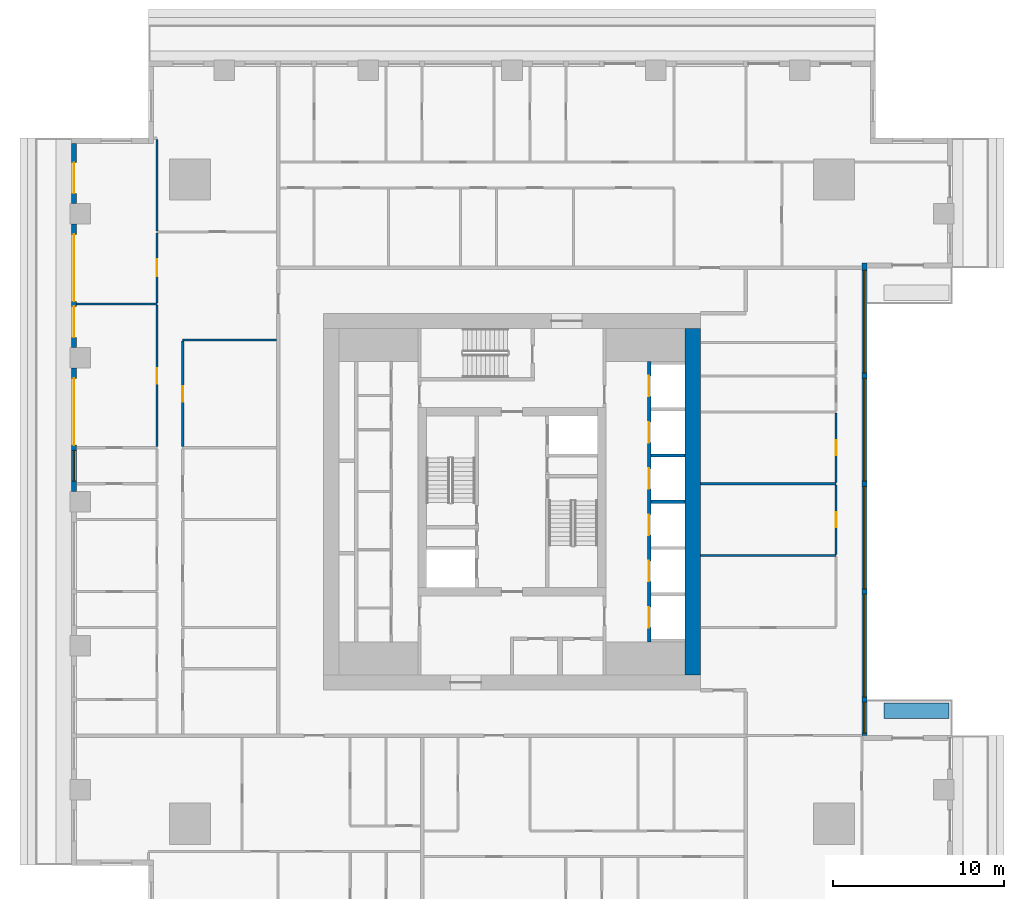
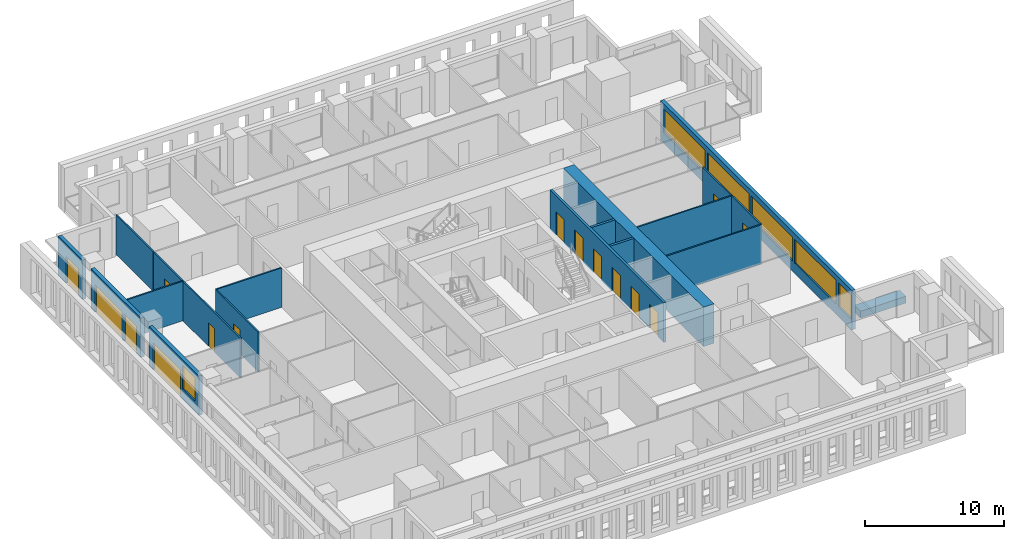
# One storey, part 6 of 15: 19 walls, 15 doors, 6 windows, 21 openings.
"""IFC4 building model written with IfcOpenShell, lengths in metres."""

import ifcopenshell
import ifcopenshell.guid

model = None  # the IFC model being written
_history = None  # IfcOwnerHistory: only IFC2X3 demands one
_inside = {}  # id of a spatial element -> (the spatial element, [elements in it])
_under = {}  # id of a project, library or spatial element -> (it, [spatial elements below it])
_declared = {}  # id of a project -> (the project, [libraries it declares])
_typed = {}  # id of a type object -> (the type object, [elements of that type])
_made_of = {}  # id of a material, layer set ... -> (it, [elements and type objects made of it])


def new_model(schema):
    """Start an empty IFC model of exactly this schema.

    Asked for "IFC4X3", IfcOpenShell would pick the latest addendum, in which some entities
    have other attributes; the version numbers below select the first issue.
    IFC2X3 requires an IfcOwnerHistory on every rooted entity: one is made here for all.
    """
    global model, _history
    if schema == "IFC4X3":
        model = ifcopenshell.file(schema_version=(4, 3, 0, 0))
    else:
        model = ifcopenshell.file(schema=schema)
    _inside.clear()
    _under.clear()
    _declared.clear()
    _typed.clear()
    _made_of.clear()
    _history = None
    if model.schema == "IFC2X3":
        org = make("IfcOrganization", Name="unknown")
        user = make(
            "IfcPersonAndOrganization",
            ThePerson=make("IfcPerson", FamilyName="unknown"),
            TheOrganization=org,
        )
        app = make(
            "IfcApplication",
            ApplicationDeveloper=org,
            Version="unknown",
            ApplicationFullName="unknown",
            ApplicationIdentifier="unknown",
        )
        _history = make(
            "IfcOwnerHistory",
            OwningUser=user,
            OwningApplication=app,
            ChangeAction="ADDED",
            CreationDate=0,
        )
    return model


def make(cls, **values):
    """One entity of the class cls with the attributes given. An attribute that is None is left unset."""
    return model.create_entity(
        cls, **{name: value for name, value in values.items() if value is not None}
    )


def rooted(cls, **values):
    """An entity with a GlobalId (a new one), such as an element, a storey or a relation."""
    return make(cls, GlobalId=ifcopenshell.guid.new(), OwnerHistory=_history, **values)


def si_unit(unit_type, name, prefix=None):
    """IfcSIUnit, for example si_unit("LENGTHUNIT", "METRE", prefix="MILLI")."""
    return make("IfcSIUnit", UnitType=unit_type, Prefix=prefix, Name=name)


def assignment(units):
    """IfcUnitAssignment: the units of a project."""
    return None if units is None else make("IfcUnitAssignment", Units=units)


def point(xyz):
    """IfcCartesianPoint."""
    return None if xyz is None else make("IfcCartesianPoint", Coordinates=xyz)


def direction(xyz):
    """IfcDirection."""
    return None if xyz is None else make("IfcDirection", DirectionRatios=xyz)


def frame(location, z_axis=None, x_axis=None):
    """IfcAxis2Placement3D, a coordinate frame: its origin and axes. An axis left out is left unset."""
    return make(
        "IfcAxis2Placement3D",
        Location=point(location),
        Axis=direction(z_axis),
        RefDirection=direction(x_axis),
    )


def frame_2d(location, x_axis=None):
    """IfcAxis2Placement2D, a coordinate frame in the plane: its origin and x axis."""
    return make(
        "IfcAxis2Placement2D", Location=point(location), RefDirection=direction(x_axis)
    )


def origin():
    """The frame at (0, 0, 0) with its axes left unset."""
    return frame((0.0, 0.0, 0.0))


def place(relative_to, where):
    """IfcLocalPlacement: puts the frame where relative to a parent placement (None: the world)."""
    return make(
        "IfcLocalPlacement", PlacementRelTo=relative_to, RelativePlacement=where
    )


def context(
    kind, dimensions, precision=None, world=None, true_north=None, identifier=None
):
    """IfcGeometricRepresentationContext, for example the 3D "Model" context."""
    return make(
        "IfcGeometricRepresentationContext",
        ContextIdentifier=identifier,
        ContextType=kind,
        CoordinateSpaceDimension=dimensions,
        Precision=precision,
        WorldCoordinateSystem=world,
        TrueNorth=true_north,
    )


def subcontext(parent, identifier, kind, view, scale=None):
    """IfcGeometricRepresentationSubContext, for example "Body" below "Model"."""
    return make(
        "IfcGeometricRepresentationSubContext",
        ContextIdentifier=identifier,
        ContextType=kind,
        ParentContext=parent,
        TargetScale=scale,
        TargetView=view,
    )


def project(units=None, contexts=None):
    """IfcProject with its units and contexts."""
    return rooted(
        "IfcProject",
        Name="project",
        RepresentationContexts=contexts,
        UnitsInContext=assignment(units),
    )


def spatial(cls, under=None, at=None, **own):
    """A site, building, storey or space (cls), placed at a placement, below another one or the project."""
    s = rooted(cls, ObjectPlacement=at, **own)
    if under is not None:
        _under.setdefault(under.id(), (under, []))[1].append(s)
    return s


def profile(cls, at=None, kind="AREA", **sizes):
    """A parametric profile (cls). Its sizes go by their IFC names, for example OverallWidth=200.0."""
    return make(cls, ProfileType=kind, Position=at, **sizes)


def rectangle(**sizes):
    """IfcRectangleProfileDef."""
    return profile("IfcRectangleProfileDef", **sizes)


def extrude(swept, where, along, depth):
    """IfcExtrudedAreaSolid: the profile swept, set in the frame where, extruded along a direction by depth."""
    return make(
        "IfcExtrudedAreaSolid",
        SweptArea=swept,
        Position=where,
        ExtrudedDirection=direction(along),
        Depth=depth,
    )


def shape(context_of_items, identifier, shape_type, items):
    """IfcShapeRepresentation: the items that make up one representation, for example the "Body"."""
    return make(
        "IfcShapeRepresentation",
        ContextOfItems=context_of_items,
        RepresentationIdentifier=identifier,
        RepresentationType=shape_type,
        Items=items,
    )


def material(Name=None, Category=None):
    """IfcMaterial."""
    return make("IfcMaterial", Name=Name, Category=Category)


def layer(
    of_material, thickness, ventilated=None, Name=None, Category=None, Priority=None
):
    """IfcMaterialLayer: one layer of a wall or slab, of a material (None: an air gap)."""
    return make(
        "IfcMaterialLayer",
        Material=of_material,
        LayerThickness=thickness,
        IsVentilated=ventilated,
        Name=Name,
        Category=Category,
        Priority=Priority,
    )


def layer_set(layers, Name=None):
    """IfcMaterialLayerSet."""
    return make("IfcMaterialLayerSet", MaterialLayers=layers, LayerSetName=Name)


def made_of(thing, what):
    """Note that an element or type object is made of a material, layer set ...; save() writes the relation."""
    if what is not None:
        _made_of.setdefault(what.id(), (what, []))[1].append(thing)
    return thing


def type_object(cls, material=None, **own):
    """A type object (cls), such as IfcWallType, which elements share."""
    return made_of(rooted(cls, **own), material)


def element(
    cls,
    number,
    at=None,
    inside=None,
    cuts=None,
    type_object=None,
    material=None,
    context=None,
    identifier="Body",
    shape_type=None,
    held_by="IfcProductDefinitionShape",
    body=None,
    shapes=None,
    **own,
):
    """One element of the class cls, such as IfcWall. Its Tag is "e" and its number.

    at: its placement. inside: the storey or other place that contains it. cuts: it is an
    opening in that element (IfcRelVoidsElement). A single representation is given by context,
    identifier, shape_type and body (its items); several are given by shapes. held_by: the class
    of the entity that holds the representations. save() writes the other relations.
    """
    e = rooted(cls, Tag="e%d" % number, ObjectPlacement=at, **own)
    if body is not None:
        shapes = [shape(context, identifier, shape_type, body)]
    if shapes is not None:
        e.Representation = make(held_by, Representations=shapes)
    if inside is not None:
        _inside.setdefault(inside.id(), (inside, []))[1].append(e)
    if cuts is not None:
        rooted(
            "IfcRelVoidsElement", RelatingBuildingElement=cuts, RelatedOpeningElement=e
        )
    if type_object is not None:
        _typed.setdefault(type_object.id(), (type_object, []))[1].append(e)
    return made_of(e, material)


def fill(opening, filler):
    """IfcRelFillsElement: the door or window that sits in an opening."""
    return rooted(
        "IfcRelFillsElement",
        RelatingOpeningElement=opening,
        RelatedBuildingElement=filler,
    )


def aggregate(whole, parts):
    """IfcRelAggregates: a whole, such as a stair, and the parts it consists of."""
    return rooted("IfcRelAggregates", RelatingObject=whole, RelatedObjects=parts)


def save(model, path):
    """Write the relations noted so far, then the file.

    IfcRelAggregates (storeys below a building ...), IfcRelContainedInSpatialStructure (elements
    in a storey), IfcRelDefinesByType, IfcRelAssociatesMaterial and IfcRelDeclares: one each for
    every whole, place, type object, material and project.
    """
    for whole, parts in _under.values():
        aggregate(whole, parts)
    for where, things in _inside.values():
        rooted(
            "IfcRelContainedInSpatialStructure",
            RelatedElements=things,
            RelatingStructure=where,
        )
    for kind, things in _typed.values():
        rooted("IfcRelDefinesByType", RelatedObjects=things, RelatingType=kind)
    for what, things in _made_of.values():
        rooted("IfcRelAssociatesMaterial", RelatedObjects=things, RelatingMaterial=what)
    for by, libraries in _declared.values():
        rooted("IfcRelDeclares", RelatingContext=by, RelatedDefinitions=libraries)
    model.write(path)


model = new_model("IFC4")

# Units and contexts
model_context = context("Model", 3, precision=1e-05, world=origin(), true_north=direction((0.0, 1.0)))
body_context = subcontext(model_context, "Body", "Model", "MODEL_VIEW")
ifc_project = project(units=[si_unit("LENGTHUNIT", "METRE"), si_unit("AREAUNIT", "SQUARE_METRE"), si_unit("VOLUMEUNIT", "CUBIC_METRE"), si_unit("PLANEANGLEUNIT", "RADIAN"), si_unit("MASSUNIT", "GRAM", prefix="KILO")], contexts=[model_context])

# Site, building, storey
site_placement = place(None, origin())
site = spatial("IfcSite", under=ifc_project, at=site_placement, CompositionType="ELEMENT")
building_placement = place(site_placement, origin())
building = spatial("IfcBuilding", under=site, at=building_placement, Name="Khepri Terraces", CompositionType="ELEMENT")
storey_placement = place(building_placement, frame((0.0, 0.0, 227.39990234375)))
storey = spatial("IfcBuildingStorey", under=building, at=storey_placement, Name="L54", CompositionType="ELEMENT", Elevation=227.39990234375)

# Wall, openings, doors
ifc_material_1 = material(Name="Concrete C50/60", Category="concrete")
ifc_layer_1 = layer(ifc_material_1, 0.199951171875, Name="Concrete C50/60", Category="concrete")
ifc_layer_set_1 = layer_set([ifc_layer_1], Name="Concrete C50/60")
wall_type_1 = type_object("IfcWallType", Name="Core wall 200 C50/60", PredefinedType="SHEAR", material=ifc_layer_set_1)
wall_1_placement = place(storey_placement, frame((8.0, -8.199951171875, 0.0), z_axis=(0.0, 0.0, 1.0), x_axis=(0.0, 1.0, 0.0)))
wall_1 = element("IfcWall", 1, at=wall_1_placement, inside=storey, type_object=wall_type_1, Name="Core wall SH02 L54", PredefinedType="SHEAR", context=body_context, shape_type="SweptSolid", body=[
    extrude(rectangle(XDim=16.39990234375, YDim=0.199951171875, at=frame_2d((8.199951171875, 0.0))), origin(), (0.0, 0.0, 1.0), 3.47998046875),
])
opening_1_placement = place(wall_1_placement, frame((0.85009765625, 0.0, 0.0)))
opening_1 = element("IfcOpeningElement", 2, at=opening_1_placement, cuts=wall_1, Name="Opening L54-C01", PredefinedType="OPENING", context=body_context, shape_type="SweptSolid", body=[
    extrude(rectangle(XDim=1.199951171875, YDim=2.10009765625, at=frame_2d((0.60009765625, 1.050048828125))), frame((0.0, 0.10986328125, 0.0), z_axis=(0.0, -1.0, 0.0), x_axis=(1.0, 0.0, 0.0)), (0.0, 0.0, 1.0), 0.219970703125),
])
opening_2_placement = place(wall_1_placement, frame((3.550048828125, 0.0, 0.0)))
opening_2 = element("IfcOpeningElement", 3, at=opening_2_placement, cuts=wall_1, Name="Opening L54-C02", PredefinedType="OPENING", context=body_context, shape_type="SweptSolid", body=[
    extrude(rectangle(XDim=1.199951171875, YDim=2.10009765625, at=frame_2d((0.60009765625, 1.050048828125))), frame((0.0, 0.10986328125, 0.0), z_axis=(0.0, -1.0, 0.0), x_axis=(1.0, 0.0, 0.0)), (0.0, 0.0, 1.0), 0.219970703125),
])
opening_3_placement = place(wall_1_placement, frame((6.25, 0.0, 0.0)))
opening_3 = element("IfcOpeningElement", 4, at=opening_3_placement, cuts=wall_1, Name="Opening L54-C03", PredefinedType="OPENING", context=body_context, shape_type="SweptSolid", body=[
    extrude(rectangle(XDim=1.199951171875, YDim=2.10009765625, at=frame_2d((0.60009765625, 1.050048828125))), frame((0.0, 0.10986328125, 0.0), z_axis=(0.0, -1.0, 0.0), x_axis=(1.0, 0.0, 0.0)), (0.0, 0.0, 1.0), 0.219970703125),
])
opening_4_placement = place(wall_1_placement, frame((8.949951171875, 0.0, 0.0)))
opening_4 = element("IfcOpeningElement", 5, at=opening_4_placement, cuts=wall_1, Name="Opening L54-C04", PredefinedType="OPENING", context=body_context, shape_type="SweptSolid", body=[
    extrude(rectangle(XDim=1.199951171875, YDim=2.10009765625, at=frame_2d((0.60009765625, 1.050048828125))), frame((0.0, 0.10986328125, 0.0), z_axis=(0.0, -1.0, 0.0), x_axis=(1.0, 0.0, 0.0)), (0.0, 0.0, 1.0), 0.219970703125),
])
opening_5_placement = place(wall_1_placement, frame((11.64990234375, 0.0, 0.0)))
opening_5 = element("IfcOpeningElement", 6, at=opening_5_placement, cuts=wall_1, Name="Opening L54-C05", PredefinedType="OPENING", context=body_context, shape_type="SweptSolid", body=[
    extrude(rectangle(XDim=1.199951171875, YDim=2.10009765625, at=frame_2d((0.60009765625, 1.050048828125))), frame((0.0, 0.10986328125, 0.0), z_axis=(0.0, -1.0, 0.0), x_axis=(1.0, 0.0, 0.0)), (0.0, 0.0, 1.0), 0.219970703125),
])
opening_6_placement = place(wall_1_placement, frame((14.35009765625, 0.0, 0.0)))
opening_6 = element("IfcOpeningElement", 7, at=opening_6_placement, cuts=wall_1, Name="Opening L54-C06", PredefinedType="OPENING", context=body_context, shape_type="SweptSolid", body=[
    extrude(rectangle(XDim=1.199951171875, YDim=2.10009765625, at=frame_2d((0.60009765625, 1.050048828125))), frame((0.0, 0.10986328125, 0.0), z_axis=(0.0, -1.0, 0.0), x_axis=(1.0, 0.0, 0.0)), (0.0, 0.0, 1.0), 0.219970703125),
])
ifc_material_2 = material(Name="Stainless steel 304", Category="steel")
door_type_1 = type_object("IfcDoorType", Name="DR-CORE-LANDING-1200", OperationType="NOTDEFINED", PredefinedType="DOOR", material=ifc_material_2)
door_1_placement = place(opening_1_placement, origin())
door_1 = element("IfcDoor", 8, at=door_1_placement, inside=storey, type_object=door_type_1, Name="Lift landing door L54-C01", OperationType="SLIDING_TO_LEFT", OverallHeight=2.10009765625, OverallWidth=1.199951171875, PredefinedType="DOOR", context=body_context, shape_type="SweptSolid", body=[
    extrude(rectangle(XDim=1.199951171875, YDim=2.10009765625, at=frame_2d((0.60009765625, 1.050048828125))), frame((0.0, 0.02490234375, 0.0), z_axis=(0.0, -1.0, 0.0), x_axis=(1.0, 0.0, 0.0)), (0.0, 0.0, 1.0), 0.050048828125),
])
fill(opening_1, door_1)
door_2_placement = place(opening_2_placement, origin())
door_2 = element("IfcDoor", 9, at=door_2_placement, inside=storey, type_object=door_type_1, Name="Lift landing door L54-C02", OperationType="SLIDING_TO_LEFT", OverallHeight=2.10009765625, OverallWidth=1.199951171875, PredefinedType="DOOR", context=body_context, shape_type="SweptSolid", body=[
    extrude(rectangle(XDim=1.199951171875, YDim=2.10009765625, at=frame_2d((0.60009765625, 1.050048828125))), frame((0.0, 0.02490234375, 0.0), z_axis=(0.0, -1.0, 0.0), x_axis=(1.0, 0.0, 0.0)), (0.0, 0.0, 1.0), 0.050048828125),
])
fill(opening_2, door_2)
door_3_placement = place(opening_3_placement, origin())
door_3 = element("IfcDoor", 10, at=door_3_placement, inside=storey, type_object=door_type_1, Name="Lift landing door L54-C03", OperationType="SLIDING_TO_LEFT", OverallHeight=2.10009765625, OverallWidth=1.199951171875, PredefinedType="DOOR", context=body_context, shape_type="SweptSolid", body=[
    extrude(rectangle(XDim=1.199951171875, YDim=2.10009765625, at=frame_2d((0.60009765625, 1.050048828125))), frame((0.0, 0.02490234375, 0.0), z_axis=(0.0, -1.0, 0.0), x_axis=(1.0, 0.0, 0.0)), (0.0, 0.0, 1.0), 0.050048828125),
])
fill(opening_3, door_3)
door_4_placement = place(opening_4_placement, origin())
door_4 = element("IfcDoor", 11, at=door_4_placement, inside=storey, type_object=door_type_1, Name="Lift landing door L54-C04", OperationType="SLIDING_TO_LEFT", OverallHeight=2.10009765625, OverallWidth=1.199951171875, PredefinedType="DOOR", context=body_context, shape_type="SweptSolid", body=[
    extrude(rectangle(XDim=1.199951171875, YDim=2.10009765625, at=frame_2d((0.60009765625, 1.050048828125))), frame((0.0, 0.02490234375, 0.0), z_axis=(0.0, -1.0, 0.0), x_axis=(1.0, 0.0, 0.0)), (0.0, 0.0, 1.0), 0.050048828125),
])
fill(opening_4, door_4)
door_5_placement = place(opening_5_placement, origin())
door_5 = element("IfcDoor", 12, at=door_5_placement, inside=storey, type_object=door_type_1, Name="Lift landing door L54-C05", OperationType="SLIDING_TO_LEFT", OverallHeight=2.10009765625, OverallWidth=1.199951171875, PredefinedType="DOOR", context=body_context, shape_type="SweptSolid", body=[
    extrude(rectangle(XDim=1.199951171875, YDim=2.10009765625, at=frame_2d((0.60009765625, 1.050048828125))), frame((0.0, 0.02490234375, 0.0), z_axis=(0.0, -1.0, 0.0), x_axis=(1.0, 0.0, 0.0)), (0.0, 0.0, 1.0), 0.050048828125),
])
fill(opening_5, door_5)
door_6_placement = place(opening_6_placement, origin())
door_6 = element("IfcDoor", 13, at=door_6_placement, inside=storey, type_object=door_type_1, Name="Lift landing door L54-C06", OperationType="SLIDING_TO_LEFT", OverallHeight=2.10009765625, OverallWidth=1.199951171875, PredefinedType="DOOR", context=body_context, shape_type="SweptSolid", body=[
    extrude(rectangle(XDim=1.199951171875, YDim=2.10009765625, at=frame_2d((0.60009765625, 1.050048828125))), frame((0.0, 0.02490234375, 0.0), z_axis=(0.0, -1.0, 0.0), x_axis=(1.0, 0.0, 0.0)), (0.0, 0.0, 1.0), 0.050048828125),
])
fill(opening_6, door_6)

# Walls
for number, where, z_axis, x_axis, name in (
    (14, (8.10009765625, 0.0, 0.0), (0.0, 0.0, 1.0), (1.0, 0.0, 0.0), "Core wall SH09 L54"),
    (15, (8.10009765625, 2.699951171875, 0.0), (0.0, 0.0, 1.0), (1.0, 0.0, 0.0), "Core wall SH13 L54"),
):
    element("IfcWall", number, at=place(storey_placement, frame(where, z_axis=z_axis, x_axis=x_axis)), inside=storey, type_object=wall_type_1, Name=name, PredefinedType="SHEAR", context=body_context, shape_type="SweptSolid", body=[
        extrude(rectangle(XDim=2.0, YDim=0.199951171875, at=frame_2d((1.0, 0.0))), origin(), (0.0, 0.0, 1.0), 3.47998046875),
    ])
ifc_layer_2 = layer(ifc_material_1, 0.89990234375, Name="Concrete C50/60", Category="concrete")
ifc_layer_set_2 = layer_set([ifc_layer_2], Name="Concrete C50/60")
wall_type_2 = type_object("IfcWallType", Name="Core wall 900 C50/60", PredefinedType="SHEAR", material=ifc_layer_set_2)
wall_2_placement = place(storey_placement, frame((10.550048828125, -10.10009765625, 0.0), z_axis=(0.0, 0.0, 1.0), x_axis=(0.0, 1.0, 0.0)))
element("IfcWall", 16, at=wall_2_placement, inside=storey, type_object=wall_type_2, Name="Core wall OW-E L54", PredefinedType="SHEAR", context=body_context, shape_type="SweptSolid", body=[
    extrude(rectangle(XDim=20.2001953125, YDim=0.89990234375, at=frame_2d((10.10009765625, 0.0))), origin(), (0.0, 0.0, 1.0), 3.47998046875),
])

# Wall, openings, windows
ifc_material_3 = material(Name="Precast concrete C50/60 warm stone", Category="masonry")
ifc_layer_3 = layer(ifc_material_3, 0.300048828125, Name="Precast concrete C50/60 warm stone", Category="masonry")
ifc_layer_set_3 = layer_set([ifc_layer_3], Name="Precast concrete C50/60 warm stone")
wall_type_3 = type_object("IfcWallType", Name="WL-EXT-PRECAST-300", PredefinedType="STANDARD", material=ifc_layer_set_3)
wall_3_placement = place(storey_placement, frame((20.570068359375, -13.64990234375, 0.0), z_axis=(0.0, 0.0, 1.0), x_axis=(0.0, 1.0, 0.0)))
wall_3 = element("IfcWall", 17, at=wall_3_placement, inside=storey, type_object=wall_type_3, Name="External wall L54 E", PredefinedType="STANDARD", context=body_context, shape_type="SweptSolid", body=[
    extrude(rectangle(XDim=27.599853515625, YDim=0.300048828125, at=frame_2d((13.7998046875, 0.0))), origin(), (0.0, 0.0, 1.0), 3.47998046875),
])
opening_7_placement = place(wall_3_placement, frame((0.14990234375, 0.0, 0.89990234375)))
opening_7 = element("IfcOpeningElement", 18, at=opening_7_placement, cuts=wall_3, Name="Opening W1", PredefinedType="OPENING", context=body_context, shape_type="SweptSolid", body=[
    extrude(rectangle(XDim=1.800048828125, YDim=2.10009765625, at=frame_2d((0.89990234375, 1.050048828125))), frame((0.0, 0.16015625, 0.0), z_axis=(0.0, -1.0, 0.0), x_axis=(1.0, 0.0, 0.0)), (0.0, 0.0, 1.0), 0.320068359375),
])
opening_8_placement = place(wall_3_placement, frame((2.25, 0.0, 0.89990234375)))
opening_8 = element("IfcOpeningElement", 19, at=opening_8_placement, cuts=wall_3, Name="Opening W3", PredefinedType="OPENING", context=body_context, shape_type="SweptSolid", body=[
    extrude(rectangle(XDim=6.0, YDim=2.10009765625, at=frame_2d((3.0, 1.050048828125))), frame((0.0, 0.16015625, 0.0), z_axis=(0.0, -1.0, 0.0), x_axis=(1.0, 0.0, 0.0)), (0.0, 0.0, 1.0), 0.320068359375),
])
opening_9_placement = place(wall_3_placement, frame((8.550048828125, 0.0, 0.89990234375)))
opening_9 = element("IfcOpeningElement", 20, at=opening_9_placement, cuts=wall_3, Name="Opening W3", PredefinedType="OPENING", context=body_context, shape_type="SweptSolid", body=[
    extrude(rectangle(XDim=6.0, YDim=2.10009765625, at=frame_2d((3.0, 1.050048828125))), frame((0.0, 0.16015625, 0.0), z_axis=(0.0, -1.0, 0.0), x_axis=(1.0, 0.0, 0.0)), (0.0, 0.0, 1.0), 0.320068359375),
])
opening_10_placement = place(wall_3_placement, frame((14.85009765625, 0.0, 0.89990234375)))
opening_10 = element("IfcOpeningElement", 21, at=opening_10_placement, cuts=wall_3, Name="Opening W3", PredefinedType="OPENING", context=body_context, shape_type="SweptSolid", body=[
    extrude(rectangle(XDim=6.0, YDim=2.10009765625, at=frame_2d((3.0, 1.050048828125))), frame((0.0, 0.16015625, 0.0), z_axis=(0.0, -1.0, 0.0), x_axis=(1.0, 0.0, 0.0)), (0.0, 0.0, 1.0), 0.320068359375),
])
opening_11_placement = place(wall_3_placement, frame((21.14990234375, 0.0, 0.89990234375)))
opening_11 = element("IfcOpeningElement", 22, at=opening_11_placement, cuts=wall_3, Name="Opening W3", PredefinedType="OPENING", context=body_context, shape_type="SweptSolid", body=[
    extrude(rectangle(XDim=6.0, YDim=2.10009765625, at=frame_2d((3.0, 1.050048828125))), frame((0.0, 0.16015625, 0.0), z_axis=(0.0, -1.0, 0.0), x_axis=(1.0, 0.0, 0.0)), (0.0, 0.0, 1.0), 0.320068359375),
])
ifc_material_4 = material(Name="Clear glass", Category="glass")
window_type_1 = type_object("IfcWindowType", Name="WIN-RES-1800x2100", PartitioningType="SINGLE_PANEL", PredefinedType="WINDOW", material=ifc_material_4)
window_1_placement = place(opening_7_placement, origin())
window_1 = element("IfcWindow", 23, at=window_1_placement, inside=storey, type_object=window_type_1, Name="Window L54 E", OverallHeight=2.10009765625, OverallWidth=1.800048828125, PartitioningType="SINGLE_PANEL", PredefinedType="WINDOW", context=body_context, shape_type="SweptSolid", body=[
    extrude(rectangle(XDim=1.800048828125, YDim=2.10009765625, at=frame_2d((0.89990234375, 1.050048828125))), frame((0.0, 0.030029296875, 0.0), z_axis=(0.0, -1.0, 0.0), x_axis=(1.0, 0.0, 0.0)), (0.0, 0.0, 1.0), 0.06005859375),
])
fill(opening_7, window_1)
window_type_2 = type_object("IfcWindowType", Name="WIN-RES-6000x2100", PartitioningType="SINGLE_PANEL", PredefinedType="WINDOW", material=ifc_material_4)
window_2_placement = place(opening_8_placement, origin())
window_2 = element("IfcWindow", 24, at=window_2_placement, inside=storey, type_object=window_type_2, Name="Window L54 E", OverallHeight=2.10009765625, OverallWidth=6.0, PartitioningType="SINGLE_PANEL", PredefinedType="WINDOW", context=body_context, shape_type="SweptSolid", body=[
    extrude(rectangle(XDim=6.0, YDim=2.10009765625, at=frame_2d((3.0, 1.050048828125))), frame((0.0, 0.030029296875, 0.0), z_axis=(0.0, -1.0, 0.0), x_axis=(1.0, 0.0, 0.0)), (0.0, 0.0, 1.0), 0.06005859375),
])
fill(opening_8, window_2)
window_3_placement = place(opening_9_placement, origin())
window_3 = element("IfcWindow", 25, at=window_3_placement, inside=storey, type_object=window_type_2, Name="Window L54 E", OverallHeight=2.10009765625, OverallWidth=6.0, PartitioningType="SINGLE_PANEL", PredefinedType="WINDOW", context=body_context, shape_type="SweptSolid", body=[
    extrude(rectangle(XDim=6.0, YDim=2.10009765625, at=frame_2d((3.0, 1.050048828125))), frame((0.0, 0.030029296875, 0.0), z_axis=(0.0, -1.0, 0.0), x_axis=(1.0, 0.0, 0.0)), (0.0, 0.0, 1.0), 0.06005859375),
])
fill(opening_9, window_3)
window_4_placement = place(opening_10_placement, origin())
window_4 = element("IfcWindow", 26, at=window_4_placement, inside=storey, type_object=window_type_2, Name="Window L54 E", OverallHeight=2.10009765625, OverallWidth=6.0, PartitioningType="SINGLE_PANEL", PredefinedType="WINDOW", context=body_context, shape_type="SweptSolid", body=[
    extrude(rectangle(XDim=6.0, YDim=2.10009765625, at=frame_2d((3.0, 1.050048828125))), frame((0.0, 0.030029296875, 0.0), z_axis=(0.0, -1.0, 0.0), x_axis=(1.0, 0.0, 0.0)), (0.0, 0.0, 1.0), 0.06005859375),
])
fill(opening_10, window_4)
window_5_placement = place(opening_11_placement, origin())
window_5 = element("IfcWindow", 27, at=window_5_placement, inside=storey, type_object=window_type_2, Name="Window L54 E", OverallHeight=2.10009765625, OverallWidth=6.0, PartitioningType="SINGLE_PANEL", PredefinedType="WINDOW", context=body_context, shape_type="SweptSolid", body=[
    extrude(rectangle(XDim=6.0, YDim=2.10009765625, at=frame_2d((3.0, 1.050048828125))), frame((0.0, 0.030029296875, 0.0), z_axis=(0.0, -1.0, 0.0), x_axis=(1.0, 0.0, 0.0)), (0.0, 0.0, 1.0), 0.06005859375),
])
fill(opening_11, window_5)

# Wall, opening, door
wall_4_placement = place(storey_placement, frame((-25.570068359375, 20.919921875, 0.0), z_axis=(0.0, 0.0, 1.0), x_axis=(0.0, -1.0, 0.0)))
wall_4 = element("IfcWall", 28, at=wall_4_placement, inside=storey, type_object=wall_type_3, Name="External wall L54 W", PredefinedType="STANDARD", context=body_context, shape_type="SweptSolid", body=[
    extrude(rectangle(XDim=3.52001953125, YDim=0.300048828125, at=frame_2d((1.760009765625, 0.0))), origin(), (0.0, 0.0, 1.0), 3.47998046875),
])
opening_12_placement = place(wall_4_placement, frame((1.1201171875, 0.0, 0.0)))
opening_12 = element("IfcOpeningElement", 29, at=opening_12_placement, cuts=wall_4, Name="Opening ED-L54-09", PredefinedType="OPENING", context=body_context, shape_type="SweptSolid", body=[
    extrude(rectangle(XDim=1.800048828125, YDim=2.39990234375, at=frame_2d((0.89990234375, 1.199951171875))), frame((0.0, 0.16015625, 0.0), z_axis=(0.0, -1.0, 0.0), x_axis=(1.0, 0.0, 0.0)), (0.0, 0.0, 1.0), 0.320068359375),
])
ifc_material_5 = material(Name="Anodised aluminium bronze glazed door", Category="aluminium")
door_type_2 = type_object("IfcDoorType", Name="DR-BAL-SLIDE-1800x2400", OperationType="NOTDEFINED", PredefinedType="DOOR", material=ifc_material_5)
door_7_placement = place(opening_12_placement, origin())
door_7 = element("IfcDoor", 30, at=door_7_placement, inside=storey, type_object=door_type_2, Name="Balcony door L54 W", OperationType="SLIDING_TO_RIGHT", OverallHeight=2.39990234375, OverallWidth=1.800048828125, PredefinedType="DOOR", context=body_context, shape_type="SweptSolid", body=[
    extrude(rectangle(XDim=1.800048828125, YDim=2.39990234375, at=frame_2d((0.89990234375, 1.199951171875))), frame((0.0, 0.02490234375, 0.0), z_axis=(0.0, -1.0, 0.0), x_axis=(1.0, 0.0, 0.0)), (0.0, 0.0, 1.0), 0.050048828125),
])
fill(opening_12, door_7)

# Wall, openings, doors
wall_5_placement = place(storey_placement, frame((-25.570068359375, 16.199951171875, 0.0), z_axis=(0.0, 0.0, 1.0), x_axis=(0.0, -1.0, 0.0)))
wall_5 = element("IfcWall", 31, at=wall_5_placement, inside=storey, type_object=wall_type_3, Name="External wall L54 W", PredefinedType="STANDARD", context=body_context, shape_type="SweptSolid", body=[
    extrude(rectangle(XDim=7.199951171875, YDim=0.300048828125, at=frame_2d((3.60009765625, 0.0))), origin(), (0.0, 0.0, 1.0), 3.47998046875),
])
opening_13_placement = place(wall_5_placement, frame((0.60009765625, 0.0, 0.0)))
opening_13 = element("IfcOpeningElement", 32, at=opening_13_placement, cuts=wall_5, Name="Opening ED-L54-10", PredefinedType="OPENING", context=body_context, shape_type="SweptSolid", body=[
    extrude(rectangle(XDim=3.89990234375, YDim=2.39990234375, at=frame_2d((1.949951171875, 1.199951171875))), frame((0.0, 0.16015625, 0.0), z_axis=(0.0, -1.0, 0.0), x_axis=(1.0, 0.0, 0.0)), (0.0, 0.0, 1.0), 0.320068359375),
])
opening_14_placement = place(wall_5_placement, frame((4.800048828125, 0.0, 0.0)))
opening_14 = element("IfcOpeningElement", 33, at=opening_14_placement, cuts=wall_5, Name="Opening ED-L54-11", PredefinedType="OPENING", context=body_context, shape_type="SweptSolid", body=[
    extrude(rectangle(XDim=1.800048828125, YDim=2.39990234375, at=frame_2d((0.89990234375, 1.199951171875))), frame((0.0, 0.16015625, 0.0), z_axis=(0.0, -1.0, 0.0), x_axis=(1.0, 0.0, 0.0)), (0.0, 0.0, 1.0), 0.320068359375),
])
door_8_placement = place(opening_14_placement, origin())
door_8 = element("IfcDoor", 34, at=door_8_placement, inside=storey, type_object=door_type_2, Name="Balcony door L54 W", OperationType="SLIDING_TO_RIGHT", OverallHeight=2.39990234375, OverallWidth=1.800048828125, PredefinedType="DOOR", context=body_context, shape_type="SweptSolid", body=[
    extrude(rectangle(XDim=1.800048828125, YDim=2.39990234375, at=frame_2d((0.89990234375, 1.199951171875))), frame((0.0, 0.02490234375, 0.0), z_axis=(0.0, -1.0, 0.0), x_axis=(1.0, 0.0, 0.0)), (0.0, 0.0, 1.0), 0.050048828125),
])
fill(opening_14, door_8)
door_type_3 = type_object("IfcDoorType", Name="DR-BAL-SLIDE-3900x2400", OperationType="NOTDEFINED", PredefinedType="DOOR", material=ifc_material_5)
door_9_placement = place(opening_13_placement, origin())
door_9 = element("IfcDoor", 35, at=door_9_placement, inside=storey, type_object=door_type_3, Name="Balcony door L54 W", OperationType="SLIDING_TO_LEFT", OverallHeight=2.39990234375, OverallWidth=3.89990234375, PredefinedType="DOOR", context=body_context, shape_type="SweptSolid", body=[
    extrude(rectangle(XDim=3.89990234375, YDim=2.39990234375, at=frame_2d((1.949951171875, 1.199951171875))), frame((0.0, 0.02490234375, 0.0), z_axis=(0.0, -1.0, 0.0), x_axis=(1.0, 0.0, 0.0)), (0.0, 0.0, 1.0), 0.050048828125),
])
fill(opening_13, door_9)

# Wall, openings, door, window
wall_6_placement = place(storey_placement, frame((-25.570068359375, 7.800048828125, 0.0), z_axis=(0.0, 0.0, 1.0), x_axis=(0.0, -1.0, 0.0)))
wall_6 = element("IfcWall", 36, at=wall_6_placement, inside=storey, type_object=wall_type_3, Name="External wall L54 W", PredefinedType="STANDARD", context=body_context, shape_type="SweptSolid", body=[
    extrude(rectangle(XDim=7.199951171875, YDim=0.300048828125, at=frame_2d((3.60009765625, 0.0))), origin(), (0.0, 0.0, 1.0), 3.47998046875),
])
opening_15_placement = place(wall_6_placement, frame((0.60009765625, 0.0, 0.0)))
opening_15 = element("IfcOpeningElement", 37, at=opening_15_placement, cuts=wall_6, Name="Opening ED-L54-12", PredefinedType="OPENING", context=body_context, shape_type="SweptSolid", body=[
    extrude(rectangle(XDim=3.89990234375, YDim=2.39990234375, at=frame_2d((1.949951171875, 1.199951171875))), frame((0.0, 0.16015625, 0.0), z_axis=(0.0, -1.0, 0.0), x_axis=(1.0, 0.0, 0.0)), (0.0, 0.0, 1.0), 0.320068359375),
])
opening_16_placement = place(wall_6_placement, frame((4.800048828125, 0.0, 0.89990234375)))
opening_16 = element("IfcOpeningElement", 38, at=opening_16_placement, cuts=wall_6, Name="Opening W1", PredefinedType="OPENING", context=body_context, shape_type="SweptSolid", body=[
    extrude(rectangle(XDim=1.800048828125, YDim=2.10009765625, at=frame_2d((0.89990234375, 1.050048828125))), frame((0.0, 0.16015625, 0.0), z_axis=(0.0, -1.0, 0.0), x_axis=(1.0, 0.0, 0.0)), (0.0, 0.0, 1.0), 0.320068359375),
])
door_10_placement = place(opening_15_placement, origin())
door_10 = element("IfcDoor", 39, at=door_10_placement, inside=storey, type_object=door_type_3, Name="Balcony door L54 W", OperationType="SLIDING_TO_LEFT", OverallHeight=2.39990234375, OverallWidth=3.89990234375, PredefinedType="DOOR", context=body_context, shape_type="SweptSolid", body=[
    extrude(rectangle(XDim=3.89990234375, YDim=2.39990234375, at=frame_2d((1.949951171875, 1.199951171875))), frame((0.0, 0.02490234375, 0.0), z_axis=(0.0, -1.0, 0.0), x_axis=(1.0, 0.0, 0.0)), (0.0, 0.0, 1.0), 0.050048828125),
])
fill(opening_15, door_10)
window_6_placement = place(opening_16_placement, origin())
window_6 = element("IfcWindow", 40, at=window_6_placement, inside=storey, type_object=window_type_1, Name="Window L54 W", OverallHeight=2.10009765625, OverallWidth=1.800048828125, PartitioningType="SINGLE_PANEL", PredefinedType="WINDOW", context=body_context, shape_type="SweptSolid", body=[
    extrude(rectangle(XDim=1.800048828125, YDim=2.10009765625, at=frame_2d((0.89990234375, 1.050048828125))), frame((0.0, 0.030029296875, 0.0), z_axis=(0.0, -1.0, 0.0), x_axis=(1.0, 0.0, 0.0)), (0.0, 0.0, 1.0), 0.06005859375),
])
fill(opening_16, window_6)

# Wall
ifc_material_6 = material(Name="Gypsum plasterboard partition")
ifc_layer_4 = layer(ifc_material_6, 0.1201171875, Name="Gypsum plasterboard partition")
ifc_layer_set_4 = layer_set([ifc_layer_4], Name="Gypsum plasterboard partition")
wall_type_4 = type_object("IfcWallType", Name="WL-PART-120", PredefinedType="PARTITIONING", material=ifc_layer_set_4)
wall_7_placement = place(storey_placement, frame((11.0, -3.14990234375, 0.0), z_axis=(0.0, 0.0, 1.0), x_axis=(1.0, 0.0, 0.0)))
element("IfcWall", 41, at=wall_7_placement, inside=storey, type_object=wall_type_4, Name="Partition P-044 L54", PredefinedType="PARTITIONING", context=body_context, shape_type="SweptSolid", body=[
    extrude(rectangle(XDim=7.919921875, YDim=0.1201171875, at=frame_2d((3.9599609375, 0.0))), origin(), (0.0, 0.0, 1.0), 3.47998046875),
])

# Wall, opening, door
wall_8_placement = place(storey_placement, frame((18.919921875, -3.090087890625, 0.0), z_axis=(0.0, 0.0, 1.0), x_axis=(0.0, 1.0, 0.0)))
wall_8 = element("IfcWall", 42, at=wall_8_placement, inside=storey, type_object=wall_type_4, Name="Partition P-045 L54", PredefinedType="PARTITIONING", context=body_context, shape_type="SweptSolid", body=[
    extrude(rectangle(XDim=4.080078125, YDim=0.1201171875, at=frame_2d((2.0400390625, 0.0))), origin(), (0.0, 0.0, 1.0), 3.47998046875),
])
opening_17_placement = place(wall_8_placement, frame((1.590087890625, 0.0, 0.0)))
opening_17 = element("IfcOpeningElement", 43, at=opening_17_placement, cuts=wall_8, Name="Opening D3", PredefinedType="OPENING", context=body_context, shape_type="SweptSolid", body=[
    extrude(rectangle(XDim=0.89990234375, YDim=2.10009765625, at=frame_2d((0.449951171875, 1.050048828125))), frame((0.0, 0.070068359375, 0.0), z_axis=(0.0, -1.0, 0.0), x_axis=(1.0, 0.0, 0.0)), (0.0, 0.0, 1.0), 0.14013671875),
])
ifc_material_7 = material(Name="Timber door leaf", Category="wood")
door_type_4 = type_object("IfcDoorType", Name="DR-INT-900", OperationType="NOTDEFINED", PredefinedType="DOOR", material=ifc_material_7)
door_11_placement = place(opening_17_placement, origin())
door_11 = element("IfcDoor", 44, at=door_11_placement, inside=storey, type_object=door_type_4, Name="Door Service Store", OperationType="SINGLE_SWING_RIGHT", OverallHeight=2.10009765625, OverallWidth=0.89990234375, PredefinedType="DOOR", context=body_context, shape_type="SweptSolid", body=[
    extrude(rectangle(XDim=0.89990234375, YDim=2.10009765625, at=frame_2d((0.449951171875, 1.050048828125))), frame((0.0, 0.02490234375, 0.0), z_axis=(0.0, -1.0, 0.0), x_axis=(1.0, 0.0, 0.0)), (0.0, 0.0, 1.0), 0.050048828125),
])
fill(opening_17, door_11)

# Wall
wall_9_placement = place(storey_placement, frame((11.0, 1.050048828125, 0.0), z_axis=(0.0, 0.0, 1.0), x_axis=(1.0, 0.0, 0.0)))
element("IfcWall", 45, at=wall_9_placement, inside=storey, type_object=wall_type_4, Name="Partition P-051 L54", PredefinedType="PARTITIONING", context=body_context, shape_type="SweptSolid", body=[
    extrude(rectangle(XDim=7.919921875, YDim=0.1201171875, at=frame_2d((3.9599609375, 0.0))), origin(), (0.0, 0.0, 1.0), 3.47998046875),
])

# Wall, opening, door
wall_10_placement = place(storey_placement, frame((18.919921875, 1.110107421875, 0.0), z_axis=(0.0, 0.0, 1.0), x_axis=(0.0, 1.0, 0.0)))
wall_10 = element("IfcWall", 46, at=wall_10_placement, inside=storey, type_object=wall_type_4, Name="Partition P-053 L54", PredefinedType="PARTITIONING", context=body_context, shape_type="SweptSolid", body=[
    extrude(rectangle(XDim=4.079833984375, YDim=0.1201171875, at=frame_2d((2.0400390625, 0.0))), origin(), (0.0, 0.0, 1.0), 3.47998046875),
])
opening_18_placement = place(wall_10_placement, frame((1.590087890625, 0.0, 0.0)))
opening_18 = element("IfcOpeningElement", 47, at=opening_18_placement, cuts=wall_10, Name="Opening D3", PredefinedType="OPENING", context=body_context, shape_type="SweptSolid", body=[
    extrude(rectangle(XDim=0.89990234375, YDim=2.10009765625, at=frame_2d((0.449951171875, 1.050048828125))), frame((0.0, 0.070068359375, 0.0), z_axis=(0.0, -1.0, 0.0), x_axis=(1.0, 0.0, 0.0)), (0.0, 0.0, 1.0), 0.14013671875),
])
door_12_placement = place(opening_18_placement, origin())
door_12 = element("IfcDoor", 48, at=door_12_placement, inside=storey, type_object=door_type_4, Name="Door Utility Room", OperationType="SINGLE_SWING_RIGHT", OverallHeight=2.10009765625, OverallWidth=0.89990234375, PredefinedType="DOOR", context=body_context, shape_type="SweptSolid", body=[
    extrude(rectangle(XDim=0.89990234375, YDim=2.10009765625, at=frame_2d((0.449951171875, 1.050048828125))), frame((0.0, 0.02490234375, 0.0), z_axis=(0.0, -1.0, 0.0), x_axis=(1.0, 0.0, 0.0)), (0.0, 0.0, 1.0), 0.050048828125),
])
fill(opening_18, door_12)

wall_11_placement = place(storey_placement, frame((-20.719970703125, 3.2099609375, 0.0), z_axis=(0.0, 0.0, 1.0), x_axis=(0.0, 1.0, 0.0)))
wall_11 = element("IfcWall", 49, at=wall_11_placement, inside=storey, type_object=wall_type_4, Name="Partition P-056 L54", PredefinedType="PARTITIONING", context=body_context, shape_type="SweptSolid", body=[
    extrude(rectangle(XDim=8.280029296875, YDim=0.1201171875, at=frame_2d((4.14013671875, 0.0))), origin(), (0.0, 0.0, 1.0), 3.47998046875),
])
opening_19_placement = place(wall_11_placement, frame((3.68994140625, 0.0, 0.0)))
opening_19 = element("IfcOpeningElement", 50, at=opening_19_placement, cuts=wall_11, Name="Opening D3", PredefinedType="OPENING", context=body_context, shape_type="SweptSolid", body=[
    extrude(rectangle(XDim=0.89990234375, YDim=2.10009765625, at=frame_2d((0.449951171875, 1.050048828125))), frame((0.0, 0.070068359375, 0.0), z_axis=(0.0, -1.0, 0.0), x_axis=(1.0, 0.0, 0.0)), (0.0, 0.0, 1.0), 0.14013671875),
])
door_13_placement = place(opening_19_placement, origin())
door_13 = element("IfcDoor", 51, at=door_13_placement, inside=storey, type_object=door_type_4, Name="Door Master Bedroom", OperationType="SINGLE_SWING_RIGHT", OverallHeight=2.10009765625, OverallWidth=0.89990234375, PredefinedType="DOOR", context=body_context, shape_type="SweptSolid", body=[
    extrude(rectangle(XDim=0.89990234375, YDim=2.10009765625, at=frame_2d((0.449951171875, 1.050048828125))), frame((0.0, 0.02490234375, 0.0), z_axis=(0.0, -1.0, 0.0), x_axis=(1.0, 0.0, 0.0)), (0.0, 0.0, 1.0), 0.050048828125),
])
fill(opening_19, door_13)

wall_12_placement = place(storey_placement, frame((-19.219970703125, 3.2099609375, 0.0), z_axis=(0.0, 0.0, 1.0), x_axis=(0.0, 1.0, 0.0)))
wall_12 = element("IfcWall", 52, at=wall_12_placement, inside=storey, type_object=wall_type_4, Name="Partition P-057 L54", PredefinedType="PARTITIONING", context=body_context, shape_type="SweptSolid", body=[
    extrude(rectangle(XDim=6.179931640625, YDim=0.1201171875, at=frame_2d((3.08984375, 0.0))), origin(), (0.0, 0.0, 1.0), 3.47998046875),
])
opening_20_placement = place(wall_12_placement, frame((2.639892578125, 0.0, 0.0)))
opening_20 = element("IfcOpeningElement", 53, at=opening_20_placement, cuts=wall_12, Name="Opening D3", PredefinedType="OPENING", context=body_context, shape_type="SweptSolid", body=[
    extrude(rectangle(XDim=0.89990234375, YDim=2.10009765625, at=frame_2d((0.449951171875, 1.050048828125))), frame((0.0, 0.070068359375, 0.0), z_axis=(0.0, -1.0, 0.0), x_axis=(1.0, 0.0, 0.0)), (0.0, 0.0, 1.0), 0.14013671875),
])
door_14_placement = place(opening_20_placement, frame((0.89990234375, 0.0, 0.0), z_axis=(0.0, 0.0, 1.0), x_axis=(-1.0, 0.0, 0.0)))
door_14 = element("IfcDoor", 54, at=door_14_placement, inside=storey, type_object=door_type_4, Name="Door Kitchen", OperationType="SINGLE_SWING_RIGHT", OverallHeight=2.10009765625, OverallWidth=0.89990234375, PredefinedType="DOOR", context=body_context, shape_type="SweptSolid", body=[
    extrude(rectangle(XDim=0.89990234375, YDim=2.10009765625, at=frame_2d((0.449951171875, 1.050048828125))), frame((0.0, 0.02490234375, 0.0), z_axis=(0.0, -1.0, 0.0), x_axis=(1.0, 0.0, 0.0)), (0.0, 0.0, 1.0), 0.050048828125),
])
fill(opening_20, door_14)

# Walls
wall_13_placement = place(storey_placement, frame((-19.219970703125, 9.449951171875, 0.0), z_axis=(0.0, 0.0, 1.0), x_axis=(1.0, 0.0, 0.0)))
element("IfcWall", 55, at=wall_13_placement, inside=storey, type_object=wall_type_4, Name="Partition P-064 L54", PredefinedType="PARTITIONING", context=body_context, shape_type="SweptSolid", body=[
    extrude(rectangle(XDim=5.469970703125, YDim=0.1201171875, at=frame_2d((2.73486328125, 0.0))), origin(), (0.0, 0.0, 1.0), 3.47998046875),
])
wall_14_placement = place(storey_placement, frame((-25.419921875, 11.550048828125, 0.0), z_axis=(0.0, 0.0, 1.0), x_axis=(1.0, 0.0, 0.0)))
element("IfcWall", 56, at=wall_14_placement, inside=storey, type_object=wall_type_4, Name="Partition P-067 L54", PredefinedType="PARTITIONING", context=body_context, shape_type="SweptSolid", body=[
    extrude(rectangle(XDim=4.699951171875, YDim=0.1201171875, at=frame_2d((2.35009765625, 0.0))), origin(), (0.0, 0.0, 1.0), 3.47998046875),
])

# Wall, opening, door
wall_15_placement = place(storey_placement, frame((-20.719970703125, 11.610107421875, 0.0), z_axis=(0.0, 0.0, 1.0), x_axis=(0.0, 1.0, 0.0)))
wall_15 = element("IfcWall", 57, at=wall_15_placement, inside=storey, type_object=wall_type_4, Name="Partition P-068 L54", PredefinedType="PARTITIONING", context=body_context, shape_type="SweptSolid", body=[
    extrude(rectangle(XDim=4.079833984375, YDim=0.1201171875, at=frame_2d((2.0400390625, 0.0))), origin(), (0.0, 0.0, 1.0), 3.47998046875),
])
opening_21_placement = place(wall_15_placement, frame((1.5400390625, 0.0, 0.0)))
opening_21 = element("IfcOpeningElement", 58, at=opening_21_placement, cuts=wall_15, Name="Opening D2", PredefinedType="OPENING", context=body_context, shape_type="SweptSolid", body=[
    extrude(rectangle(XDim=1.0, YDim=2.10009765625, at=frame_2d((0.5, 1.050048828125))), frame((0.0, 0.070068359375, 0.0), z_axis=(0.0, -1.0, 0.0), x_axis=(1.0, 0.0, 0.0)), (0.0, 0.0, 1.0), 0.14013671875),
])
ifc_material_8 = material(Name="Timber door leaf, living room door", Category="wood")
door_type_5 = type_object("IfcDoorType", Name="DR-INT-1000", OperationType="NOTDEFINED", PredefinedType="DOOR", material=ifc_material_8)
door_15_placement = place(opening_21_placement, origin())
door_15 = element("IfcDoor", 59, at=door_15_placement, inside=storey, type_object=door_type_5, Name="Door Living Room", OperationType="SINGLE_SWING_RIGHT", OverallHeight=2.10009765625, OverallWidth=1.0, PredefinedType="DOOR", context=body_context, shape_type="SweptSolid", body=[
    extrude(rectangle(XDim=1.0, YDim=2.10009765625, at=frame_2d((0.5, 1.050048828125))), frame((0.0, 0.02490234375, 0.0), z_axis=(0.0, -1.0, 0.0), x_axis=(1.0, 0.0, 0.0)), (0.0, 0.0, 1.0), 0.050048828125),
])
fill(opening_21, door_15)

# Walls
wall_16_placement = place(storey_placement, frame((-20.719970703125, 15.81005859375, 0.0), z_axis=(0.0, 0.0, 1.0), x_axis=(0.0, 1.0, 0.0)))
element("IfcWall", 60, at=wall_16_placement, inside=storey, type_object=wall_type_4, Name="Partition P-079 L54", PredefinedType="PARTITIONING", context=body_context, shape_type="SweptSolid", body=[
    extrude(rectangle(XDim=5.348876953125, YDim=0.1201171875, at=frame_2d((2.67431640625, 0.0))), origin(), (0.0, 0.0, 1.0), 3.47998046875),
])
ifc_layer_5 = layer(ifc_material_3, 0.89990234375, Name="Precast concrete C50/60 warm stone", Category="masonry")
ifc_layer_set_5 = layer_set([ifc_layer_5], Name="Precast concrete C50/60 warm stone")
wall_type_5 = type_object("IfcWallType", Name="WL-PLANTER-900", PredefinedType="MOVABLE", material=ifc_layer_set_5)
wall_17_placement = place(storey_placement, frame((21.719970703125, -12.199951171875, 0.0), z_axis=(0.0, 0.0, 1.0), x_axis=(1.0, 0.0, 0.0)))
element("IfcWall", 61, at=wall_17_placement, inside=storey, type_object=wall_type_5, Name="Planter L54", PredefinedType="MOVABLE", context=body_context, shape_type="SweptSolid", body=[
    extrude(rectangle(XDim=3.800048828125, YDim=0.89990234375, at=frame_2d((1.89990234375, 0.0))), origin(), (0.0, 0.0, 1.0), 0.60009765625),
])

save(model, "model.ifc")
